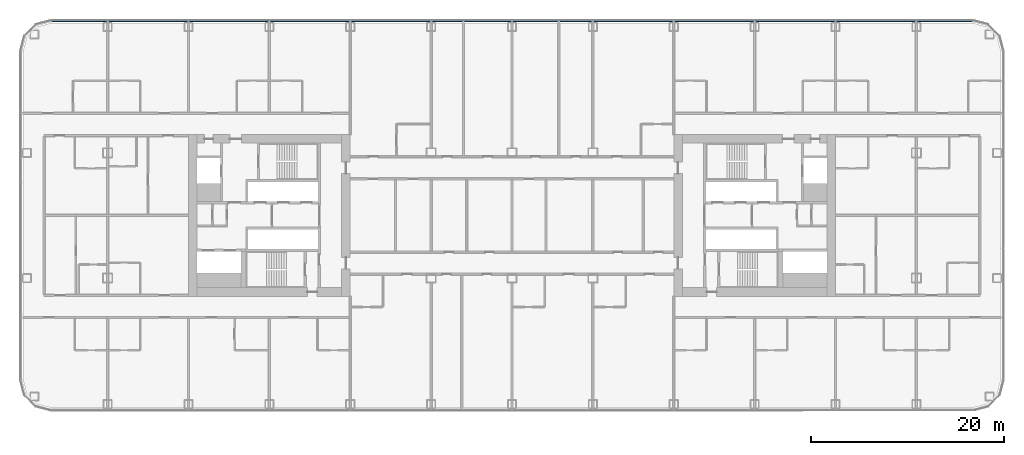
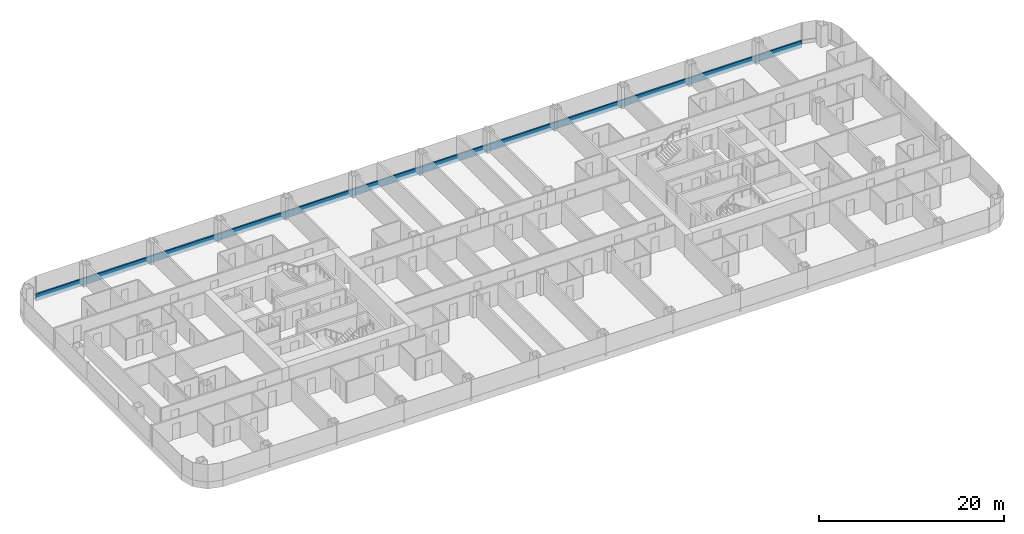
# One storey, part 8 of 28: 1 member, 1 element without a shape of its own.
"""IFC4 building model written with IfcOpenShell, lengths in metres."""

from ifc_helpers import new_model, si_unit, direction, frame, origin, origin_2d, place, context, subcontext, project, spatial, rectangle, extrude, material, layer, layer_set, material_profile, profile_set, type_object, element, aggregate, save


model = new_model("IFC4")

# Units and contexts
model_context = context("Model", 3, precision=1e-05, world=origin(), true_north=direction((0.0, 1.0)))
body_context = subcontext(model_context, "Body", "Model", "MODEL_VIEW")
ifc_project = project(units=[si_unit("LENGTHUNIT", "METRE"), si_unit("AREAUNIT", "SQUARE_METRE"), si_unit("VOLUMEUNIT", "CUBIC_METRE"), si_unit("PLANEANGLEUNIT", "RADIAN"), si_unit("MASSUNIT", "GRAM", prefix="KILO")], contexts=[model_context])

# Site, building, storey
site_placement = place(None, origin())
site = spatial("IfcSite", under=ifc_project, at=site_placement, CompositionType="ELEMENT")
building_placement = place(site_placement, origin())
building = spatial("IfcBuilding", under=site, at=building_placement, Name="Hakoniwa Tower and Hamabe Station Hall", CompositionType="ELEMENT")
storey_placement = place(building_placement, frame((0.0, 0.0, 35.800048828125)))
storey = spatial("IfcBuildingStorey", under=building, at=storey_placement, Name="L09", CompositionType="ELEMENT", Elevation=35.800048828125)

# Curtain wall, member
ifc_material_1 = material(Name="Dark low-e laminated glass", Category="glass")
ifc_layer = layer(ifc_material_1, 0.199951171875)
ifc_layer_set = layer_set([ifc_layer], Name="CW-1 UNITISED GUEST")
curtain_wall_type = type_object("IfcCurtainWallType", Name="CW-1 UNITISED GUEST", PredefinedType="NOTDEFINED", material=ifc_layer_set)
curtain_wall_placement = place(storey_placement, origin())
curtain_wall = element("IfcCurtainWall", 1, at=curtain_wall_placement, inside=storey, type_object=curtain_wall_type, Name="CW-1 curtain wall", PredefinedType="NOTDEFINED")
ifc_material_2 = material(Name="Aluminium 6063-T5 black anodised", Category="aluminium")
ifc_material_profile = material_profile(ifc_material_2, rectangle(XDim=0.199951171875, YDim=0.89990234375, at=origin_2d()), Name="CW SLAB-EDGE BAND 900X200")
ifc_profile_set = profile_set([ifc_material_profile], Name="Aluminium 6063-T5 black anodised")
member_type = type_object("IfcMemberType", Name="CW SLAB-EDGE BAND 900X200", PredefinedType="USERDEFINED", material=ifc_profile_set)
member_placement = place(storey_placement, frame((47.839599609375, 20.199951171875, -0.10009765625), z_axis=(-1.0, 0.0, 0.0), x_axis=(0.0, -1.0, 0.0)))
member = element("IfcMember", 2, at=member_placement, type_object=member_type, Name="CW-1 transom", ObjectType="TRANSOM", PredefinedType="USERDEFINED", context=body_context, shape_type="SweptSolid", body=[
    extrude(rectangle(XDim=0.199951171875, YDim=0.89990234375, at=origin_2d()), origin(), (0.0, 0.0, 1.0), 95.67919921875),
])
aggregate(curtain_wall, [member])

save(model, "model.ifc")
